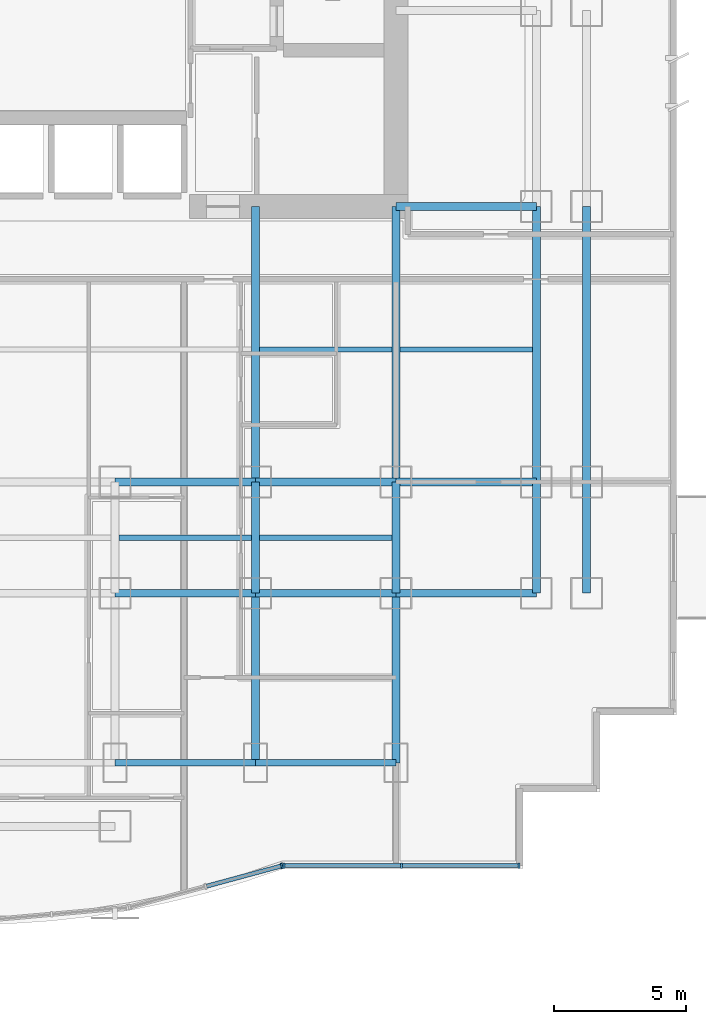
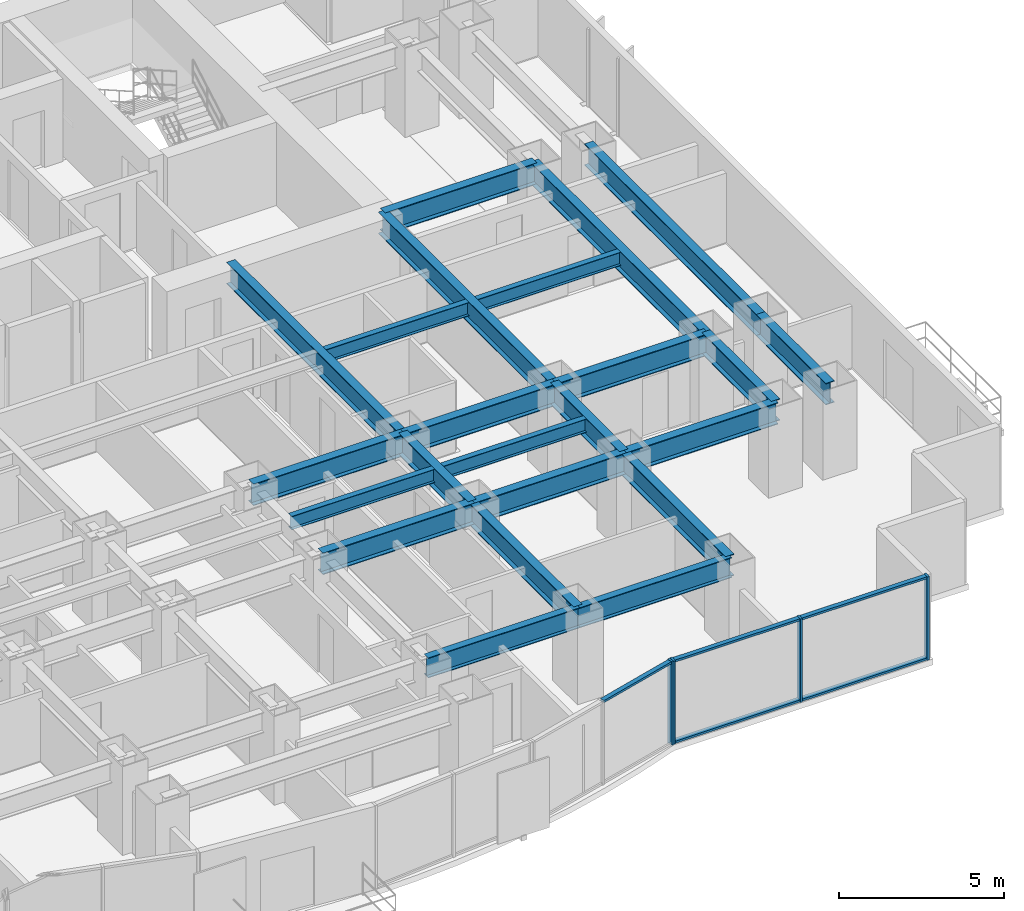
# One storey, part 3 of 10: 23 beams, 9 members, 2 elements without a shape of their own.
"""IFC4 building model written with IfcOpenShell, lengths in metres."""

from ifc_helpers import new_model, si_unit, direction, frame, origin, origin_2d, place, context, subcontext, project, spatial, rectangle, i_section, extrude, source, transform, mapped, material, layer, layer_set, material_profile, profile_set, type_object, element, aggregate, save


model = new_model("IFC4")

# Units and contexts
model_context = context("Model", 3, precision=1e-05, world=origin(), true_north=direction((0.0, 1.0)))
body_context = subcontext(model_context, "Body", "Model", "MODEL_VIEW")
ifc_project = project(units=[si_unit("LENGTHUNIT", "METRE"), si_unit("AREAUNIT", "SQUARE_METRE"), si_unit("VOLUMEUNIT", "CUBIC_METRE"), si_unit("PLANEANGLEUNIT", "RADIAN"), si_unit("MASSUNIT", "GRAM", prefix="KILO")], contexts=[model_context])

# Site, building, storey
site_placement = place(None, origin())
site = spatial("IfcSite", under=ifc_project, at=site_placement, CompositionType="ELEMENT")
building_placement = place(site_placement, origin())
building = spatial("IfcBuilding", under=site, at=building_placement, Name="Qianlan Lanfeng Residences", CompositionType="ELEMENT")
storey_placement = place(building_placement, frame((0.0, 0.0, 34.10009765625)))
storey = spatial("IfcBuildingStorey", under=building, at=storey_placement, Name="L08", CompositionType="ELEMENT", Elevation=34.10009765625)

# Beams
ifc_material_1 = material(Name="Steel SN490B", Category="steel")
ifc_material_profile_1 = material_profile(ifc_material_1, i_section(OverallWidth=0.300048828125, OverallDepth=0.800048828125, WebThickness=0.01611328125, FlangeThickness=0.028076171875, at=origin_2d()), Name="H 800x300x16x28")
ifc_profile_set_1 = profile_set([ifc_material_profile_1], Name="Steel SN490B")
beam_type_1 = type_object("IfcBeamType", Name="G-950", PredefinedType="BEAM", material=ifc_profile_set_1)
beam_1_placement = place(storey_placement, frame((31.800048828125, 10.60009765625, 2.679931640625), z_axis=(1.0, 0.0, 0.0), x_axis=(0.0, 1.0, 0.0)))
element("IfcBeam", 1, at=beam_1_placement, inside=storey, type_object=beam_type_1, Name="Structural beam G-950", PredefinedType="BEAM", context=body_context, shape_type="SweptSolid", body=[
    extrude(i_section(OverallWidth=0.300048828125, OverallDepth=0.800048828125, WebThickness=0.01611328125, FlangeThickness=0.028076171875, at=origin_2d()), origin(), (0.0, 0.0, 1.0), 5.300048828125),
])
beam_2_placement = place(storey_placement, frame((37.10009765625, 10.60009765625, 2.679931640625), z_axis=(1.0, 0.0, 0.0), x_axis=(0.0, 1.0, 0.0)))
element("IfcBeam", 2, at=beam_2_placement, inside=storey, type_object=beam_type_1, Name="Structural beam G-950", PredefinedType="BEAM", context=body_context, shape_type="SweptSolid", body=[
    extrude(i_section(OverallWidth=0.300048828125, OverallDepth=0.800048828125, WebThickness=0.01611328125, FlangeThickness=0.028076171875, at=origin_2d()), origin(), (0.0, 0.0, 1.0), 5.2998046875),
])
for number, where, z_axis, x_axis, name in (
    (3, (42.39990234375, 10.60009765625, 2.679931640625), (1.0, 0.0, 0.0), (0.0, 1.0, 0.0), "Structural beam G-950"),
    (4, (31.800048828125, 14.800048828125, 2.679931640625), (1.0, 0.0, 0.0), (0.0, 1.0, 0.0), "Structural beam G-950"),
):
    element("IfcBeam", number, at=place(storey_placement, frame(where, z_axis=z_axis, x_axis=x_axis)), inside=storey, type_object=beam_type_1, Name=name, PredefinedType="BEAM", context=body_context, shape_type="SweptSolid", body=[
        extrude(i_section(OverallWidth=0.300048828125, OverallDepth=0.800048828125, WebThickness=0.01611328125, FlangeThickness=0.028076171875, at=origin_2d()), origin(), (0.0, 0.0, 1.0), 5.300048828125),
    ])
beam_3_placement = place(storey_placement, frame((37.10009765625, 14.800048828125, 2.679931640625), z_axis=(1.0, 0.0, 0.0), x_axis=(0.0, 1.0, 0.0)))
element("IfcBeam", 5, at=beam_3_placement, inside=storey, type_object=beam_type_1, Name="Structural beam G-950", PredefinedType="BEAM", context=body_context, shape_type="SweptSolid", body=[
    extrude(i_section(OverallWidth=0.300048828125, OverallDepth=0.800048828125, WebThickness=0.01611328125, FlangeThickness=0.028076171875, at=origin_2d()), origin(), (0.0, 0.0, 1.0), 5.2998046875),
])
for number, where, z_axis, x_axis, name in (
    (6, (42.39990234375, 14.800048828125, 2.679931640625), (1.0, 0.0, 0.0), (0.0, 1.0, 0.0), "Structural beam G-950"),
    (7, (42.39990234375, 25.199951171875, 2.679931640625), (1.0, 0.0, 0.0), (0.0, 1.0, 0.0), "Structural beam G-950"),
):
    element("IfcBeam", number, at=place(storey_placement, frame(where, z_axis=z_axis, x_axis=x_axis)), inside=storey, type_object=beam_type_1, Name=name, PredefinedType="BEAM", context=body_context, shape_type="SweptSolid", body=[
        extrude(i_section(OverallWidth=0.300048828125, OverallDepth=0.800048828125, WebThickness=0.01611328125, FlangeThickness=0.028076171875, at=origin_2d()), origin(), (0.0, 0.0, 1.0), 5.300048828125),
    ])
beam_4_placement = place(storey_placement, frame((37.10009765625, 4.199951171875, 2.679931640625), z_axis=(0.0, 1.0, 0.0), x_axis=(-1.0, 0.0, 0.0)))
element("IfcBeam", 8, at=beam_4_placement, inside=storey, type_object=beam_type_1, Name="Structural beam G-950", PredefinedType="BEAM", context=body_context, shape_type="SweptSolid", body=[
    extrude(i_section(OverallWidth=0.300048828125, OverallDepth=0.800048828125, WebThickness=0.01611328125, FlangeThickness=0.028076171875, at=origin_2d()), origin(), (0.0, 0.0, 1.0), 6.400146484375),
])
beam_5_placement = place(storey_placement, frame((37.10009765625, 10.60009765625, 2.679931640625), z_axis=(0.0, 1.0, 0.0), x_axis=(-1.0, 0.0, 0.0)))
element("IfcBeam", 9, at=beam_5_placement, inside=storey, type_object=beam_type_1, Name="Structural beam G-950", PredefinedType="BEAM", context=body_context, shape_type="SweptSolid", body=[
    extrude(i_section(OverallWidth=0.300048828125, OverallDepth=0.800048828125, WebThickness=0.01611328125, FlangeThickness=0.028076171875, at=origin_2d()), origin(), (0.0, 0.0, 1.0), 4.199951171875),
])
beam_6_placement = place(storey_placement, frame((37.10009765625, 14.800048828125, 2.679931640625), z_axis=(0.0, 1.0, 0.0), x_axis=(-1.0, 0.0, 0.0)))
element("IfcBeam", 10, at=beam_6_placement, inside=storey, type_object=beam_type_1, Name="Structural beam G-950", PredefinedType="BEAM", context=body_context, shape_type="SweptSolid", body=[
    extrude(i_section(OverallWidth=0.300048828125, OverallDepth=0.800048828125, WebThickness=0.01611328125, FlangeThickness=0.028076171875, at=origin_2d()), origin(), (0.0, 0.0, 1.0), 10.39990234375),
])
beam_7_placement = place(storey_placement, frame((42.39990234375, 4.199951171875, 2.679931640625), z_axis=(0.0, 1.0, 0.0), x_axis=(-1.0, 0.0, 0.0)))
element("IfcBeam", 11, at=beam_7_placement, inside=storey, type_object=beam_type_1, Name="Structural beam G-950", PredefinedType="BEAM", context=body_context, shape_type="SweptSolid", body=[
    extrude(i_section(OverallWidth=0.300048828125, OverallDepth=0.800048828125, WebThickness=0.01611328125, FlangeThickness=0.028076171875, at=origin_2d()), origin(), (0.0, 0.0, 1.0), 6.400146484375),
])
beam_8_placement = place(storey_placement, frame((42.39990234375, 10.60009765625, 2.679931640625), z_axis=(0.0, 1.0, 0.0), x_axis=(-1.0, 0.0, 0.0)))
element("IfcBeam", 12, at=beam_8_placement, inside=storey, type_object=beam_type_1, Name="Structural beam G-950", PredefinedType="BEAM", context=body_context, shape_type="SweptSolid", body=[
    extrude(i_section(OverallWidth=0.300048828125, OverallDepth=0.800048828125, WebThickness=0.01611328125, FlangeThickness=0.028076171875, at=origin_2d()), origin(), (0.0, 0.0, 1.0), 4.199951171875),
])
beam_9_placement = place(storey_placement, frame((42.39990234375, 14.800048828125, 2.679931640625), z_axis=(0.0, 1.0, 0.0), x_axis=(-1.0, 0.0, 0.0)))
element("IfcBeam", 13, at=beam_9_placement, inside=storey, type_object=beam_type_1, Name="Structural beam G-950", PredefinedType="BEAM", context=body_context, shape_type="SweptSolid", body=[
    extrude(i_section(OverallWidth=0.300048828125, OverallDepth=0.800048828125, WebThickness=0.01611328125, FlangeThickness=0.028076171875, at=origin_2d()), origin(), (0.0, 0.0, 1.0), 10.39990234375),
])
beam_10_placement = place(storey_placement, frame((47.699951171875, 10.60009765625, 2.679931640625), z_axis=(0.0, 1.0, 0.0), x_axis=(-1.0, 0.0, 0.0)))
element("IfcBeam", 14, at=beam_10_placement, inside=storey, type_object=beam_type_1, Name="Structural beam G-950", PredefinedType="BEAM", context=body_context, shape_type="SweptSolid", body=[
    extrude(i_section(OverallWidth=0.300048828125, OverallDepth=0.800048828125, WebThickness=0.01611328125, FlangeThickness=0.028076171875, at=origin_2d()), origin(), (0.0, 0.0, 1.0), 4.199951171875),
])
beam_11_placement = place(storey_placement, frame((47.699951171875, 14.800048828125, 2.679931640625), z_axis=(0.0, 1.0, 0.0), x_axis=(-1.0, 0.0, 0.0)))
element("IfcBeam", 15, at=beam_11_placement, inside=storey, type_object=beam_type_1, Name="Structural beam G-950", PredefinedType="BEAM", context=body_context, shape_type="SweptSolid", body=[
    extrude(i_section(OverallWidth=0.300048828125, OverallDepth=0.800048828125, WebThickness=0.01611328125, FlangeThickness=0.028076171875, at=origin_2d()), origin(), (0.0, 0.0, 1.0), 10.39990234375),
])
beam_12_placement = place(storey_placement, frame((49.60009765625, 10.60009765625, 2.679931640625), z_axis=(0.0, 1.0, 0.0), x_axis=(-1.0, 0.0, 0.0)))
element("IfcBeam", 16, at=beam_12_placement, inside=storey, type_object=beam_type_1, Name="Structural beam G-950", PredefinedType="BEAM", context=body_context, shape_type="SweptSolid", body=[
    extrude(i_section(OverallWidth=0.300048828125, OverallDepth=0.800048828125, WebThickness=0.01611328125, FlangeThickness=0.028076171875, at=origin_2d()), origin(), (0.0, 0.0, 1.0), 4.199951171875),
])
beam_13_placement = place(storey_placement, frame((49.60009765625, 14.800048828125, 2.679931640625), z_axis=(0.0, 1.0, 0.0), x_axis=(-1.0, 0.0, 0.0)))
element("IfcBeam", 17, at=beam_13_placement, inside=storey, type_object=beam_type_1, Name="Structural beam G-950", PredefinedType="BEAM", context=body_context, shape_type="SweptSolid", body=[
    extrude(i_section(OverallWidth=0.300048828125, OverallDepth=0.800048828125, WebThickness=0.01611328125, FlangeThickness=0.028076171875, at=origin_2d()), origin(), (0.0, 0.0, 1.0), 10.39990234375),
])
ifc_material_profile_2 = material_profile(ifc_material_1, i_section(OverallWidth=0.199951171875, OverallDepth=0.5, WebThickness=0.010009765625, FlangeThickness=0.01611328125, at=origin_2d()), Name="H 500x200x10x16")
ifc_profile_set_2 = profile_set([ifc_material_profile_2], Name="Steel SN490B")
beam_type_2 = type_object("IfcBeamType", Name="J-500", PredefinedType="JOIST", material=ifc_profile_set_2)
for number, where, z_axis, x_axis, name in (
    (18, (31.949951171875, 12.699951171875, 2.829833984375), (1.0, 0.0, 0.0), (0.0, 1.0, 0.0), "Structural beam J-500"),
    (19, (37.25, 12.699951171875, 2.829833984375), (1.0, 0.0, 0.0), (0.0, 1.0, 0.0), "Structural beam J-500"),
    (20, (37.25, 19.800048828125, 2.829833984375), (1.0, 0.0, 0.0), (0.0, 1.0, 0.0), "Structural beam J-500"),
    (21, (42.550048828125, 19.800048828125, 2.829833984375), (1.0, 0.0, 0.0), (0.0, 1.0, 0.0), "Structural beam J-500"),
):
    element("IfcBeam", number, at=place(storey_placement, frame(where, z_axis=z_axis, x_axis=x_axis)), inside=storey, type_object=beam_type_2, Name=name, PredefinedType="JOIST", context=body_context, shape_type="SweptSolid", body=[
        extrude(i_section(OverallWidth=0.199951171875, OverallDepth=0.5, WebThickness=0.010009765625, FlangeThickness=0.01611328125, at=origin_2d()), origin(), (0.0, 0.0, 1.0), 5.0),
    ])
ifc_material_profile_3 = material_profile(ifc_material_1, i_section(OverallWidth=0.25, OverallDepth=0.75, WebThickness=0.013916015625, FlangeThickness=0.02490234375, at=origin_2d()), Name="H 750x250x14x25")
ifc_profile_set_3 = profile_set([ifc_material_profile_3], Name="Steel SN490B")
beam_type_3 = type_object("IfcBeamType", Name="SG-850", PredefinedType="SPANDREL", material=ifc_profile_set_3)
beam_14_placement = place(storey_placement, frame((31.800048828125, 4.199951171875, 2.704833984375), z_axis=(1.0, 0.0, 0.0), x_axis=(0.0, 1.0, 0.0)))
element("IfcBeam", 22, at=beam_14_placement, inside=storey, type_object=beam_type_3, Name="Structural beam SG-850", PredefinedType="SPANDREL", context=body_context, shape_type="SweptSolid", body=[
    extrude(i_section(OverallWidth=0.25, OverallDepth=0.75, WebThickness=0.013916015625, FlangeThickness=0.02490234375, at=origin_2d()), origin(), (0.0, 0.0, 1.0), 5.300048828125),
])
beam_15_placement = place(storey_placement, frame((37.10009765625, 4.199951171875, 2.704833984375), z_axis=(1.0, 0.0, 0.0), x_axis=(0.0, 1.0, 0.0)))
element("IfcBeam", 23, at=beam_15_placement, inside=storey, type_object=beam_type_3, Name="Structural beam SG-850", PredefinedType="SPANDREL", context=body_context, shape_type="SweptSolid", body=[
    extrude(i_section(OverallWidth=0.25, OverallDepth=0.75, WebThickness=0.013916015625, FlangeThickness=0.02490234375, at=origin_2d()), origin(), (0.0, 0.0, 1.0), 5.2998046875),
])

# Curtain wall, member
ifc_material_2 = material(Name="Anodised Bronze Aluminium 6063-T6", Category="aluminium")
ifc_layer = layer(ifc_material_2, 0.219970703125)
ifc_layer_set = layer_set([ifc_layer], Name="Anodised Bronze Aluminium 6063-T6")
curtain_wall_type = type_object("IfcCurtainWallType", Name="CW-02", PredefinedType="NOTDEFINED", material=ifc_layer_set)
curtain_wall_1_placement = place(storey_placement, origin())
curtain_wall_1 = element("IfcCurtainWall", 24, at=curtain_wall_1_placement, inside=storey, type_object=curtain_wall_type, Name="L08 Unitised Curtain Wall CWR-L08-04 (CW-02)", PredefinedType="NOTDEFINED")
ifc_material_profile_4 = material_profile(ifc_material_2, rectangle(XDim=0.080078125, YDim=0.159912109375, at=origin_2d()), Name="ALU TRANSOM 80x160")
ifc_profile_set_4 = profile_set([ifc_material_profile_4], Name="Anodised Bronze Aluminium 6063-T6")
member_type_1 = type_object("IfcMemberType", Name="CWT-180", PredefinedType="USERDEFINED", material=ifc_profile_set_4)
shared_shape_1 = source(origin(), body_context, "Body", "SweptSolid", [
    extrude(rectangle(XDim=0.080078125, YDim=0.159912109375, at=origin_2d()), origin(), (0.0, 0.0, 1.0), 2.897705078125),
])
member_1_placement = place(storey_placement, frame((35.255615234375, -0.4580078125, 3.039794921875), z_axis=(0.965267548724, 0.261263390817, 0.0), x_axis=(0.0, 0.0, 1.0)))
member_1 = element("IfcMember", 25, at=member_1_placement, type_object=member_type_1, Name="CWR-L08-04 Transom 2-TOP", ObjectType="TRANSOM", PredefinedType="USERDEFINED", context=body_context, shape_type="MappedRepresentation", body=[
    mapped(shared_shape_1, transform((0.0, 0.0, 0.0), scale=1.0)),
])

# Curtain wall, members
curtain_wall_2_placement = place(storey_placement, origin())
curtain_wall_2 = element("IfcCurtainWall", 26, at=curtain_wall_2_placement, inside=storey, type_object=curtain_wall_type, Name="L08 Unitised Curtain Wall CWR-L08-05 (CW-02)", PredefinedType="NOTDEFINED")
shared_shape_2 = source(origin(), body_context, "Body", "SweptSolid", [
    extrude(rectangle(XDim=0.080078125, YDim=0.159912109375, at=origin_2d()), origin(), (0.0, 0.0, 1.0), 4.35498046875),
])
member_2_placement = place(storey_placement, frame((38.2099609375, 0.320068359375, 0.039794921875), z_axis=(1.0, 0.0, 0.0), x_axis=(0.0, 0.0, 1.0)))
member_2 = element("IfcMember", 27, at=member_2_placement, type_object=member_type_1, Name="CWR-L08-05 Transom 1-BOT", ObjectType="TRANSOM", PredefinedType="USERDEFINED", context=body_context, shape_type="MappedRepresentation", body=[
    mapped(shared_shape_2, transform((0.0, 0.0, 0.0), scale=1.0)),
])
member_3_placement = place(storey_placement, frame((38.2099609375, 0.320068359375, 3.039794921875), z_axis=(1.0, 0.0, 0.0), x_axis=(0.0, 0.0, 1.0)))
member_3 = element("IfcMember", 28, at=member_3_placement, type_object=member_type_1, Name="CWR-L08-05 Transom 1-TOP", ObjectType="TRANSOM", PredefinedType="USERDEFINED", context=body_context, shape_type="MappedRepresentation", body=[
    mapped(shared_shape_2, transform((0.0, 0.0, 0.0), scale=1.0)),
])
member_4_placement = place(storey_placement, frame((42.64501953125, 0.320068359375, 0.039794921875), z_axis=(1.0, 0.0, 0.0), x_axis=(0.0, 0.0, 1.0)))
member_4 = element("IfcMember", 29, at=member_4_placement, type_object=member_type_1, Name="CWR-L08-05 Transom 2-BOT", ObjectType="TRANSOM", PredefinedType="USERDEFINED", context=body_context, shape_type="MappedRepresentation", body=[
    mapped(shared_shape_2, transform((0.0, 0.0, 0.0), scale=1.0)),
])
member_5_placement = place(storey_placement, frame((42.64501953125, 0.320068359375, 3.039794921875), z_axis=(1.0, 0.0, 0.0), x_axis=(0.0, 0.0, 1.0)))
member_5 = element("IfcMember", 30, at=member_5_placement, type_object=member_type_1, Name="CWR-L08-05 Transom 2-TOP", ObjectType="TRANSOM", PredefinedType="USERDEFINED", context=body_context, shape_type="MappedRepresentation", body=[
    mapped(shared_shape_2, transform((0.0, 0.0, 0.0), scale=1.0)),
])

# Member
ifc_material_profile_5 = material_profile(ifc_material_2, rectangle(XDim=0.080078125, YDim=0.2099609375, at=origin_2d()), Name="ALU MULLION 80x210")
ifc_profile_set_5 = profile_set([ifc_material_profile_5], Name="Anodised Bronze Aluminium 6063-T6")
member_type_2 = type_object("IfcMemberType", Name="CWM-220", PredefinedType="MULLION", material=ifc_profile_set_5)
shared_shape_3 = source(origin(), body_context, "Body", "SweptSolid", [
    extrude(rectangle(XDim=0.080078125, YDim=0.2099609375, at=origin_2d()), origin(), (0.0, 0.0, 1.0), 3.079833984375),
])
member_6_placement = place(storey_placement, frame((38.09130859375, 0.3095703125, 0.0), z_axis=(0.0, 0.0, 1.0), x_axis=(0.9652627173, 0.261281240412, 0.0)))
member_6 = element("IfcMember", 31, at=member_6_placement, type_object=member_type_2, Name="CWR-L08-04 Mullion 3", PredefinedType="MULLION", context=body_context, shape_type="MappedRepresentation", body=[
    mapped(shared_shape_3, transform((0.0, 0.0, 0.0), scale=1.0)),
])

aggregate(curtain_wall_1, [member_6, member_1])

member_7_placement = place(storey_placement, frame((38.169921875, 0.320068359375, 0.0), z_axis=(0.0, 0.0, 1.0), x_axis=(1.0, 0.0, 0.0)))
member_7 = element("IfcMember", 32, at=member_7_placement, type_object=member_type_2, Name="CWR-L08-05 Mullion 1", PredefinedType="MULLION", context=body_context, shape_type="MappedRepresentation", body=[
    mapped(shared_shape_3, transform((0.0, 0.0, 0.0), scale=1.0)),
])

member_8_placement = place(storey_placement, frame((42.60498046875, 0.320068359375, 0.0), z_axis=(0.0, 0.0, 1.0), x_axis=(1.0, 0.0, 0.0)))
member_8 = element("IfcMember", 33, at=member_8_placement, type_object=member_type_2, Name="CWR-L08-05 Mullion 2", PredefinedType="MULLION", context=body_context, shape_type="MappedRepresentation", body=[
    mapped(shared_shape_3, transform((0.0, 0.0, 0.0), scale=1.0)),
])

member_9_placement = place(storey_placement, frame((47.0400390625, 0.320068359375, 0.0), z_axis=(0.0, 0.0, 1.0), x_axis=(1.0, 0.0, 0.0)))
member_9 = element("IfcMember", 34, at=member_9_placement, type_object=member_type_2, Name="CWR-L08-05 Mullion 3", PredefinedType="MULLION", context=body_context, shape_type="MappedRepresentation", body=[
    mapped(shared_shape_3, transform((0.0, 0.0, 0.0), scale=1.0)),
])

aggregate(curtain_wall_2, [member_7, member_8, member_9, member_2, member_3, member_4, member_5])

save(model, "model.ifc")
